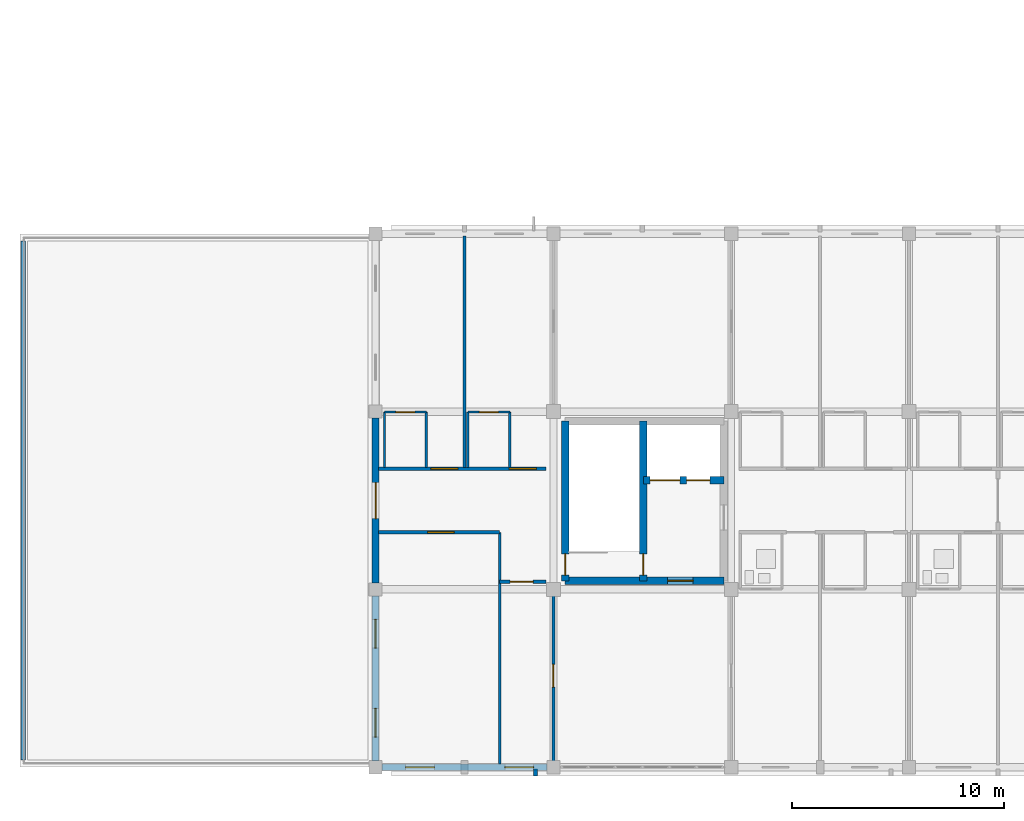
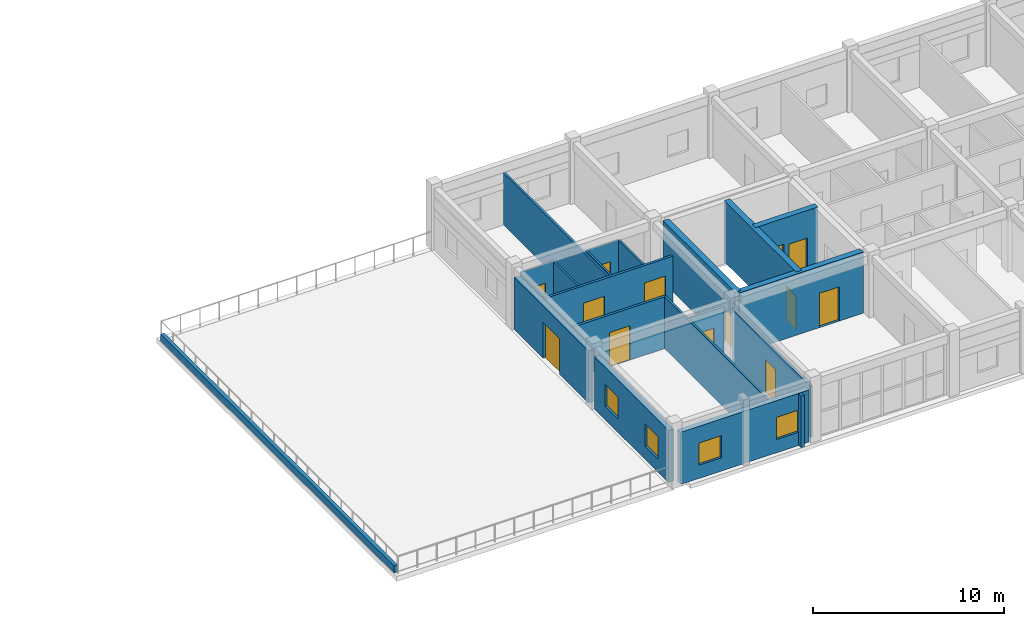
# One storey, part 57 of 81: 21 walls, 13 doors, 4 windows, 17 openings.
"""IFC4 building model written with IfcOpenShell, lengths in metres."""

from ifc_helpers import new_model, si_unit, direction, frame, frame_2d, origin, place, context, subcontext, project, spatial, rectangle, extrude, material, layer, layer_set, type_object, element, fill, save


model = new_model("IFC4")

# Units and contexts
model_context = context("Model", 3, precision=1e-05, world=origin(), true_north=direction((0.0, 1.0)))
body_context = subcontext(model_context, "Body", "Model", "MODEL_VIEW")
ifc_project = project(units=[si_unit("LENGTHUNIT", "METRE"), si_unit("AREAUNIT", "SQUARE_METRE"), si_unit("VOLUMEUNIT", "CUBIC_METRE"), si_unit("PLANEANGLEUNIT", "RADIAN"), si_unit("MASSUNIT", "GRAM", prefix="KILO")], contexts=[model_context])

# Site, building, storey
site_placement = place(None, origin())
site = spatial("IfcSite", under=ifc_project, at=site_placement, CompositionType="ELEMENT")
building_placement = place(site_placement, origin())
building = spatial("IfcBuilding", under=site, at=building_placement, Name="Trelvath General Hospital", CompositionType="ELEMENT")
storey_placement = place(building_placement, frame((0.0, 0.0, 24.60009765625)))
storey = spatial("IfcBuildingStorey", under=building, at=storey_placement, Name="L06", CompositionType="ELEMENT", Elevation=24.60009765625)

# Wall
ifc_material_1 = material(Name="Precast concrete C40/50", Category="concrete")
ifc_layer_1 = layer(ifc_material_1, 0.199951171875)
ifc_layer_set_1 = layer_set([ifc_layer_1], Name="Precast concrete C40/50")
wall_type_1 = type_object("IfcWallType", Name="BriseSoleilRib 200", PredefinedType="ELEMENTEDWALL", material=ifc_layer_set_1)
wall_1_placement = place(storey_placement, frame((41.149658203125, -0.074951171875, 0.0), z_axis=(0.0, 0.0, 1.0), x_axis=(0.0, -1.0, 0.0)))
element("IfcWall", 1, at=wall_1_placement, inside=storey, type_object=wall_type_1, Name="Precast Concrete Brise-Soleil Rib Fin L06-410", PredefinedType="ELEMENTEDWALL", context=body_context, shape_type="SweptSolid", body=[
    extrude(rectangle(XDim=0.340087890625, YDim=0.199951171875, at=frame_2d((0.169921875, 0.0))), origin(), (0.0, 0.0, 1.0), 3.31982421875),
])

# Wall, opening, door
ifc_material_2 = material(Name="Gypsum acoustic steel-stud partition", Category="steel")
ifc_layer_2 = layer(ifc_material_2, 0.14990234375)
ifc_layer_set_2 = layer_set([ifc_layer_2], Name="Gypsum acoustic steel-stud partition")
wall_type_2 = type_object("IfcWallType", Name="ClinicalPartition 150", PredefinedType="PARTITIONING", material=ifc_layer_set_2)
wall_2_placement = place(storey_placement, frame((33.739990234375, 11.10009765625, 0.0), z_axis=(0.0, 0.0, 1.0), x_axis=(1.0, 0.0, 0.0)))
wall_2 = element("IfcWall", 2, at=wall_2_placement, inside=storey, type_object=wall_type_2, Name="Nurse Station Partition L06-2031", PredefinedType="PARTITIONING", context=body_context, shape_type="SweptSolid", body=[
    extrude(rectangle(XDim=5.719970703125, YDim=0.14990234375, at=frame_2d((2.85986328125, 0.0))), origin(), (0.0, 0.0, 1.0), 3.31982421875),
])
opening_1_placement = place(wall_2_placement, frame((2.320068359375, 0.0, 0.0)))
opening_1 = element("IfcOpeningElement", 3, at=opening_1_placement, cuts=wall_2, Name="Opening D-6-1307", PredefinedType="OPENING", context=body_context, shape_type="SweptSolid", body=[
    extrude(rectangle(XDim=1.25, YDim=2.199951171875, at=frame_2d((0.625, 1.10009765625))), frame((0.0, 0.0849609375, 0.0), z_axis=(0.0, -1.0, 0.0), x_axis=(1.0, 0.0, 0.0)), (0.0, 0.0, 1.0), 0.169921875),
])
ifc_material_3 = material(Name="Acoustic hospital timber leaf", Category="wood")
door_type_1 = type_object("IfcDoorType", Name="Door Treatment 1250x2200", OperationType="NOTDEFINED", PredefinedType="DOOR", material=ifc_material_3)
door_1_placement = place(opening_1_placement, origin())
door_1 = element("IfcDoor", 4, at=door_1_placement, inside=storey, type_object=door_type_1, Name="Nurse Station Door L06-1307", OperationType="SINGLE_SWING_LEFT", OverallHeight=2.199951171875, OverallWidth=1.25, PredefinedType="DOOR", context=body_context, shape_type="SweptSolid", body=[
    extrude(rectangle(XDim=1.25, YDim=2.199951171875, at=frame_2d((0.625, 1.10009765625))), frame((0.0, 0.02490234375, 0.0), z_axis=(0.0, -1.0, 0.0), x_axis=(1.0, 0.0, 0.0)), (0.0, 0.0, 1.0), 0.050048828125),
])
fill(opening_1, door_1)

wall_3_placement = place(storey_placement, frame((39.4599609375, 8.760009765625, 0.0), z_axis=(0.0, 0.0, 1.0), x_axis=(1.0, 0.0, 0.0)))
wall_3 = element("IfcWall", 5, at=wall_3_placement, inside=storey, type_object=wall_type_2, Name="Clean Utility Partition L06-2033", PredefinedType="PARTITIONING", context=body_context, shape_type="SweptSolid", body=[
    extrude(rectangle(XDim=2.179931640625, YDim=0.14990234375, at=frame_2d((1.08984375, 0.0))), origin(), (0.0, 0.0, 1.0), 3.31982421875),
])
opening_2_placement = place(wall_3_placement, frame((0.5, 0.0, 0.0)))
opening_2 = element("IfcOpeningElement", 6, at=opening_2_placement, cuts=wall_3, Name="Opening D-6-1308", PredefinedType="OPENING", context=body_context, shape_type="SweptSolid", body=[
    extrude(rectangle(XDim=1.080078125, YDim=2.14990234375, at=frame_2d((0.5400390625, 1.074951171875))), frame((0.0, 0.0849609375, 0.0), z_axis=(0.0, -1.0, 0.0), x_axis=(1.0, 0.0, 0.0)), (0.0, 0.0, 1.0), 0.169921875),
])
ifc_material_4 = material(Name="Acoustic hospital timber leaf", Category="wood")
door_type_2 = type_object("IfcDoorType", Name="Door CleanSupply 1080x2150", OperationType="NOTDEFINED", PredefinedType="DOOR", material=ifc_material_4)
door_2_placement = place(opening_2_placement, origin())
door_2 = element("IfcDoor", 7, at=door_2_placement, inside=storey, type_object=door_type_2, Name="Clean Utility Door L06-1308", OperationType="SINGLE_SWING_RIGHT", OverallHeight=2.14990234375, OverallWidth=1.080078125, PredefinedType="DOOR", context=body_context, shape_type="SweptSolid", body=[
    extrude(rectangle(XDim=1.080078125, YDim=2.14990234375, at=frame_2d((0.5400390625, 1.074951171875))), frame((0.0, 0.02490234375, 0.0), z_axis=(0.0, -1.0, 0.0), x_axis=(1.0, 0.0, 0.0)), (0.0, 0.0, 1.0), 0.050048828125),
])
fill(opening_2, door_2)

# Wall, openings, doors
wall_4_placement = place(storey_placement, frame((41.639892578125, 14.10009765625, 0.0), z_axis=(0.0, 0.0, 1.0), x_axis=(-1.0, 0.0, 0.0)))
wall_4 = element("IfcWall", 8, at=wall_4_placement, inside=storey, type_object=wall_type_2, Name="Corridor Partition N L06-2034", PredefinedType="PARTITIONING", context=body_context, shape_type="SweptSolid", body=[
    extrude(rectangle(XDim=7.89990234375, YDim=0.14990234375, at=frame_2d((3.949951171875, 0.0))), origin(), (0.0, 0.0, 1.0), 3.31982421875),
])
opening_3_placement = place(wall_4_placement, frame((0.449951171875, 0.0, 0.0)))
opening_3 = element("IfcOpeningElement", 9, at=opening_3_placement, cuts=wall_4, Name="Opening D-6-1309", PredefinedType="OPENING", context=body_context, shape_type="SweptSolid", body=[
    extrude(rectangle(XDim=1.280029296875, YDim=2.199951171875, at=frame_2d((0.64013671875, 1.10009765625))), frame((0.0, 0.0849609375, 0.0), z_axis=(0.0, -1.0, 0.0), x_axis=(1.0, 0.0, 0.0)), (0.0, 0.0, 1.0), 0.169921875),
])
opening_4_placement = place(wall_4_placement, frame((4.14990234375, 0.0, 0.0)))
opening_4 = element("IfcOpeningElement", 10, at=opening_4_placement, cuts=wall_4, Name="Opening D-6-1310", PredefinedType="OPENING", context=body_context, shape_type="SweptSolid", body=[
    extrude(rectangle(XDim=1.280029296875, YDim=2.199951171875, at=frame_2d((0.64013671875, 1.10009765625))), frame((0.0, 0.0849609375, 0.0), z_axis=(0.0, -1.0, 0.0), x_axis=(1.0, 0.0, 0.0)), (0.0, 0.0, 1.0), 0.169921875),
])
ifc_material_5 = material(Name="Pediatric ward timber door", Category="wood")
door_type_3 = type_object("IfcDoorType", Name="Door PatientPeds 1280x2200", OperationType="NOTDEFINED", PredefinedType="DOOR", material=ifc_material_5)
door_3_placement = place(opening_3_placement, origin())
door_3 = element("IfcDoor", 11, at=door_3_placement, inside=storey, type_object=door_type_3, Name="Patient Room Door N L06-1309", OperationType="SINGLE_SWING_LEFT", OverallHeight=2.199951171875, OverallWidth=1.280029296875, PredefinedType="DOOR", context=body_context, shape_type="SweptSolid", body=[
    extrude(rectangle(XDim=1.280029296875, YDim=2.199951171875, at=frame_2d((0.64013671875, 1.10009765625))), frame((0.0, 0.02490234375, 0.0), z_axis=(0.0, -1.0, 0.0), x_axis=(1.0, 0.0, 0.0)), (0.0, 0.0, 1.0), 0.050048828125),
])
fill(opening_3, door_3)
door_4_placement = place(opening_4_placement, origin())
door_4 = element("IfcDoor", 12, at=door_4_placement, inside=storey, type_object=door_type_3, Name="Patient Room Door N L06-1310", OperationType="SINGLE_SWING_LEFT", OverallHeight=2.199951171875, OverallWidth=1.280029296875, PredefinedType="DOOR", context=body_context, shape_type="SweptSolid", body=[
    extrude(rectangle(XDim=1.280029296875, YDim=2.199951171875, at=frame_2d((0.64013671875, 1.10009765625))), frame((0.0, 0.02490234375, 0.0), z_axis=(0.0, -1.0, 0.0), x_axis=(1.0, 0.0, 0.0)), (0.0, 0.0, 1.0), 0.050048828125),
])
fill(opening_4, door_4)

# Wall, opening, door
ifc_material_6 = material(Name="Concrete C40/50", Category="concrete")
ifc_layer_3 = layer(ifc_material_6, 0.35009765625)
ifc_layer_set_3 = layer_set([ifc_layer_3], Name="Concrete C40/50")
wall_type_3 = type_object("IfcWallType", Name="CoreShearWall 350", PredefinedType="SHEAR", material=ifc_layer_set_3)
wall_5_placement = place(storey_placement, frame((42.550048828125, 8.800048828125, 0.0), z_axis=(0.0, 0.0, 1.0), x_axis=(1.0, 0.0, 0.0)))
wall_5 = element("IfcWall", 13, at=wall_5_placement, inside=storey, type_object=wall_type_3, Name="Core Shear Wall C4 S L06", PredefinedType="SHEAR", context=body_context, shape_type="SweptSolid", body=[
    extrude(rectangle(XDim=7.5, YDim=0.35009765625, at=frame_2d((3.75, 0.0))), origin(), (0.0, 0.0, 1.0), 3.919921875),
])
opening_5_placement = place(wall_5_placement, frame((4.85009765625, 0.0, 0.0)))
opening_5 = element("IfcOpeningElement", 14, at=opening_5_placement, cuts=wall_5, Name="Opening FD-LS46", PredefinedType="OPENING", context=body_context, shape_type="SweptSolid", body=[
    extrude(rectangle(XDim=1.199951171875, YDim=2.199951171875, at=frame_2d((0.60009765625, 1.10009765625))), frame((0.0, 0.18505859375, 0.0), z_axis=(0.0, -1.0, 0.0), x_axis=(1.0, 0.0, 0.0)), (0.0, 0.0, 1.0), 0.3701171875),
])
ifc_material_7 = material(Name="Fire-rated steel door", Category="steel")
door_type_4 = type_object("IfcDoorType", Name="Door FireLobby 1200x2200", OperationType="NOTDEFINED", PredefinedType="DOOR", material=ifc_material_7)
door_5_placement = place(opening_5_placement, origin())
door_5 = element("IfcDoor", 15, at=door_5_placement, inside=storey, type_object=door_type_4, Name="Fire Lobby South Door C4 L06", OperationType="SINGLE_SWING_LEFT", OverallHeight=2.199951171875, OverallWidth=1.199951171875, PredefinedType="DOOR", context=body_context, shape_type="SweptSolid", body=[
    extrude(rectangle(XDim=1.199951171875, YDim=2.199951171875, at=frame_2d((0.60009765625, 1.10009765625))), frame((0.0, 0.02490234375, 0.0), z_axis=(0.0, -1.0, 0.0), x_axis=(1.0, 0.0, 0.0)), (0.0, 0.0, 1.0), 0.050048828125),
])
fill(opening_5, door_5)

wall_6_placement = place(storey_placement, frame((42.550048828125, 8.800048828125, 0.0), z_axis=(0.0, 0.0, 1.0), x_axis=(0.0, 1.0, 0.0)))
wall_6 = element("IfcWall", 16, at=wall_6_placement, inside=storey, type_object=wall_type_3, Name="Core Shear Wall C4 W L06", PredefinedType="SHEAR", context=body_context, shape_type="SweptSolid", body=[
    extrude(rectangle(XDim=7.550048828125, YDim=0.35009765625, at=frame_2d((3.77490234375, 0.0))), origin(), (0.0, 0.0, 1.0), 3.919921875),
])
opening_6_placement = place(wall_6_placement, frame((0.280029296875, 0.0, 0.0)))
opening_6 = element("IfcOpeningElement", 17, at=opening_6_placement, cuts=wall_6, Name="Opening FD-SW46", PredefinedType="OPENING", context=body_context, shape_type="SweptSolid", body=[
    extrude(rectangle(XDim=1.0, YDim=2.14990234375, at=frame_2d((0.5, 1.074951171875))), frame((0.0, 0.18505859375, 0.0), z_axis=(0.0, -1.0, 0.0), x_axis=(1.0, 0.0, 0.0)), (0.0, 0.0, 1.0), 0.3701171875),
])
ifc_material_8 = material(Name="Fire-rated steel door", Category="steel")
door_type_5 = type_object("IfcDoorType", Name="Door FireStair 1100x2150", OperationType="NOTDEFINED", PredefinedType="DOOR", material=ifc_material_8)
door_6_placement = place(opening_6_placement, origin())
door_6 = element("IfcDoor", 18, at=door_6_placement, inside=storey, type_object=door_type_5, Name="West Corridor Stair Door ST4 L06", OperationType="SINGLE_SWING_RIGHT", OverallHeight=2.14990234375, OverallWidth=1.0, PredefinedType="DOOR", context=body_context, shape_type="SweptSolid", body=[
    extrude(rectangle(XDim=1.0, YDim=2.14990234375, at=frame_2d((0.5, 1.074951171875))), frame((0.0, 0.02490234375, 0.0), z_axis=(0.0, -1.0, 0.0), x_axis=(1.0, 0.0, 0.0)), (0.0, 0.0, 1.0), 0.050048828125),
])
fill(opening_6, door_6)

wall_7_placement = place(storey_placement, frame((46.25, 8.800048828125, 0.0), z_axis=(0.0, 0.0, 1.0), x_axis=(0.0, 1.0, 0.0)))
wall_7 = element("IfcWall", 19, at=wall_7_placement, inside=storey, type_object=wall_type_3, Name="Core Shear Wall C4 SPINE L06", PredefinedType="SHEAR", context=body_context, shape_type="SweptSolid", body=[
    extrude(rectangle(XDim=7.550048828125, YDim=0.35009765625, at=frame_2d((3.77490234375, 0.0))), origin(), (0.0, 0.0, 1.0), 3.919921875),
])
opening_7_placement = place(wall_7_placement, frame((0.280029296875, 0.0, 0.0)))
opening_7 = element("IfcOpeningElement", 20, at=opening_7_placement, cuts=wall_7, Name="Opening FD-S46", PredefinedType="OPENING", context=body_context, shape_type="SweptSolid", body=[
    extrude(rectangle(XDim=1.0, YDim=2.14990234375, at=frame_2d((0.5, 1.074951171875))), frame((0.0, 0.18505859375, 0.0), z_axis=(0.0, -1.0, 0.0), x_axis=(1.0, 0.0, 0.0)), (0.0, 0.0, 1.0), 0.3701171875),
])
door_7_placement = place(opening_7_placement, origin())
door_7 = element("IfcDoor", 21, at=door_7_placement, inside=storey, type_object=door_type_5, Name="Exit Stair Door ST4 L06", OperationType="SINGLE_SWING_LEFT", OverallHeight=2.14990234375, OverallWidth=1.0, PredefinedType="DOOR", context=body_context, shape_type="SweptSolid", body=[
    extrude(rectangle(XDim=1.0, YDim=2.14990234375, at=frame_2d((0.5, 1.074951171875))), frame((0.0, 0.02490234375, 0.0), z_axis=(0.0, -1.0, 0.0), x_axis=(1.0, 0.0, 0.0)), (0.0, 0.0, 1.0), 0.050048828125),
])
fill(opening_7, door_7)

# Wall, openings, doors
wall_8_placement = place(storey_placement, frame((46.25, 13.550048828125, 0.0), z_axis=(0.0, 0.0, 1.0), x_axis=(1.0, 0.0, 0.0)))
wall_8 = element("IfcWall", 22, at=wall_8_placement, inside=storey, type_object=wall_type_3, Name="Core Shear Wall C4 SHAFT L06", PredefinedType="SHEAR", context=body_context, shape_type="SweptSolid", body=[
    extrude(rectangle(XDim=3.800048828125, YDim=0.35009765625, at=frame_2d((1.89990234375, 0.0))), origin(), (0.0, 0.0, 1.0), 3.919921875),
])
opening_8_placement = place(wall_8_placement, frame((0.320068359375, 0.0, 0.0)))
opening_8 = element("IfcOpeningElement", 23, at=opening_8_placement, cuts=wall_8, Name="Opening LD-BD3-6", PredefinedType="OPENING", context=body_context, shape_type="SweptSolid", body=[
    extrude(rectangle(XDim=1.39990234375, YDim=2.25, at=frame_2d((0.699951171875, 1.125))), frame((0.0, 0.18505859375, 0.0), z_axis=(0.0, -1.0, 0.0), x_axis=(1.0, 0.0, 0.0)), (0.0, 0.0, 1.0), 0.3701171875),
])
opening_9_placement = place(wall_8_placement, frame((2.0400390625, 0.0, 0.0)))
opening_9 = element("IfcOpeningElement", 24, at=opening_9_placement, cuts=wall_8, Name="Opening LD-PA1-6", PredefinedType="OPENING", context=body_context, shape_type="SweptSolid", body=[
    extrude(rectangle(XDim=1.10009765625, YDim=2.14990234375, at=frame_2d((0.550048828125, 1.074951171875))), frame((0.0, 0.18505859375, 0.0), z_axis=(0.0, -1.0, 0.0), x_axis=(1.0, 0.0, 0.0)), (0.0, 0.0, 1.0), 0.3701171875),
])
ifc_material_9 = material(Name="Stainless steel stretcher lift landing door", Category="steel")
door_type_6 = type_object("IfcDoorType", Name="Door LiftBed 1400x2250", OperationType="SLIDING_TO_LEFT", PredefinedType="DOOR", material=ifc_material_9)
door_8_placement = place(opening_8_placement, origin())
door_8 = element("IfcDoor", 25, at=door_8_placement, inside=storey, type_object=door_type_6, Name="Lift Landing Sliding Door LF-BD3 L06", OperationType="SLIDING_TO_LEFT", OverallHeight=2.25, OverallWidth=1.39990234375, PredefinedType="DOOR", context=body_context, shape_type="SweptSolid", body=[
    extrude(rectangle(XDim=1.39990234375, YDim=2.25, at=frame_2d((0.699951171875, 1.125))), frame((0.0, 0.02490234375, 0.0), z_axis=(0.0, -1.0, 0.0), x_axis=(1.0, 0.0, 0.0)), (0.0, 0.0, 1.0), 0.050048828125),
])
fill(opening_8, door_8)
ifc_material_10 = material(Name="Stainless steel lift landing sliding door", Category="steel")
door_type_7 = type_object("IfcDoorType", Name="Door LiftLanding 1100x2150", OperationType="SLIDING_TO_LEFT", PredefinedType="DOOR", material=ifc_material_10)
door_9_placement = place(opening_9_placement, origin())
door_9 = element("IfcDoor", 26, at=door_9_placement, inside=storey, type_object=door_type_7, Name="Lift Landing Sliding Door LF-PA1 L06", OperationType="SLIDING_TO_LEFT", OverallHeight=2.14990234375, OverallWidth=1.10009765625, PredefinedType="DOOR", context=body_context, shape_type="SweptSolid", body=[
    extrude(rectangle(XDim=1.10009765625, YDim=2.14990234375, at=frame_2d((0.550048828125, 1.074951171875))), frame((0.0, 0.02490234375, 0.0), z_axis=(0.0, -1.0, 0.0), x_axis=(1.0, 0.0, 0.0)), (0.0, 0.0, 1.0), 0.050048828125),
])
fill(opening_9, door_9)

# Walls
ifc_material_11 = material(Name="Moisture-resistant tile partition")
ifc_layer_4 = layer(ifc_material_11, 0.110107421875)
ifc_layer_set_4 = layer_set([ifc_layer_4], Name="Moisture-resistant tile partition")
wall_type_4 = type_object("IfcWallType", Name="EnSuiteWetWall 110", PredefinedType="PARTITIONING", material=ifc_layer_set_4)
for number, where, z_axis, x_axis, name in (
    (27, (34.02001953125, 14.169921875, 0.0), (0.0, 0.0, 1.0), (0.0, 1.0, 0.0), "En-Suite W Wall N L06-2036"),
    (28, (36.0, 14.169921875, 0.0), (0.0, 0.0, 1.0), (0.0, 1.0, 0.0), "En-Suite E Wall N L06-2037"),
):
    element("IfcWall", number, at=place(storey_placement, frame(where, z_axis=z_axis, x_axis=x_axis)), inside=storey, type_object=wall_type_4, Name=name, PredefinedType="PARTITIONING", context=body_context, shape_type="SweptSolid", body=[
        extrude(rectangle(XDim=2.610107421875, YDim=0.110107421875, at=frame_2d((1.30517578125, 0.0))), origin(), (0.0, 0.0, 1.0), 3.31982421875),
    ])

# Wall, opening, door
wall_9_placement = place(storey_placement, frame((34.02001953125, 16.780029296875, 0.0), z_axis=(0.0, 0.0, 1.0), x_axis=(1.0, 0.0, 0.0)))
wall_9 = element("IfcWall", 29, at=wall_9_placement, inside=storey, type_object=wall_type_4, Name="En-Suite Bathroom N Partition L06-2038", PredefinedType="PARTITIONING", context=body_context, shape_type="SweptSolid", body=[
    extrude(rectangle(XDim=1.97998046875, YDim=0.110107421875, at=frame_2d((0.989990234375, 0.0))), origin(), (0.0, 0.0, 1.0), 3.31982421875),
])
opening_10_placement = place(wall_9_placement, frame((0.5400390625, 0.0, 0.0)))
opening_10 = element("IfcOpeningElement", 30, at=opening_10_placement, cuts=wall_9, Name="Opening D-6-1311", PredefinedType="OPENING", context=body_context, shape_type="SweptSolid", body=[
    extrude(rectangle(XDim=0.89990234375, YDim=2.10009765625, at=frame_2d((0.449951171875, 1.050048828125))), frame((0.0, 0.06494140625, 0.0), z_axis=(0.0, -1.0, 0.0), x_axis=(1.0, 0.0, 0.0)), (0.0, 0.0, 1.0), 0.130126953125),
])
ifc_material_12 = material(Name="Moisture-sealed timber leaf", Category="wood")
door_type_8 = type_object("IfcDoorType", Name="Door EnSuite 900x2100", OperationType="NOTDEFINED", PredefinedType="DOOR", material=ifc_material_12)
door_10_placement = place(opening_10_placement, origin())
door_10 = element("IfcDoor", 31, at=door_10_placement, inside=storey, type_object=door_type_8, Name="En-Suite Bathroom N Door L06-1311", OperationType="SINGLE_SWING_RIGHT", OverallHeight=2.10009765625, OverallWidth=0.89990234375, PredefinedType="DOOR", context=body_context, shape_type="SweptSolid", body=[
    extrude(rectangle(XDim=0.89990234375, YDim=2.10009765625, at=frame_2d((0.449951171875, 1.050048828125))), frame((0.0, 0.02490234375, 0.0), z_axis=(0.0, -1.0, 0.0), x_axis=(1.0, 0.0, 0.0)), (0.0, 0.0, 1.0), 0.050048828125),
])
fill(opening_10, door_10)

# Walls
for number, where, z_axis, x_axis, name in (
    (32, (37.9599609375, 14.169921875, 0.0), (0.0, 0.0, 1.0), (0.0, 1.0, 0.0), "En-Suite W Wall N L06-2039"),
    (33, (39.93994140625, 14.169921875, 0.0), (0.0, 0.0, 1.0), (0.0, 1.0, 0.0), "En-Suite E Wall N L06-2040"),
):
    element("IfcWall", number, at=place(storey_placement, frame(where, z_axis=z_axis, x_axis=x_axis)), inside=storey, type_object=wall_type_4, Name=name, PredefinedType="PARTITIONING", context=body_context, shape_type="SweptSolid", body=[
        extrude(rectangle(XDim=2.610107421875, YDim=0.110107421875, at=frame_2d((1.30517578125, 0.0))), origin(), (0.0, 0.0, 1.0), 3.31982421875),
    ])

# Wall, opening, door
wall_10_placement = place(storey_placement, frame((37.9599609375, 16.780029296875, 0.0), z_axis=(0.0, 0.0, 1.0), x_axis=(1.0, 0.0, 0.0)))
wall_10 = element("IfcWall", 34, at=wall_10_placement, inside=storey, type_object=wall_type_4, Name="En-Suite Bathroom N Partition L06-2041", PredefinedType="PARTITIONING", context=body_context, shape_type="SweptSolid", body=[
    extrude(rectangle(XDim=1.97998046875, YDim=0.110107421875, at=frame_2d((0.989990234375, 0.0))), origin(), (0.0, 0.0, 1.0), 3.31982421875),
])
opening_11_placement = place(wall_10_placement, frame((0.5400390625, 0.0, 0.0)))
opening_11 = element("IfcOpeningElement", 35, at=opening_11_placement, cuts=wall_10, Name="Opening D-6-1312", PredefinedType="OPENING", context=body_context, shape_type="SweptSolid", body=[
    extrude(rectangle(XDim=0.89990234375, YDim=2.10009765625, at=frame_2d((0.449951171875, 1.050048828125))), frame((0.0, 0.06494140625, 0.0), z_axis=(0.0, -1.0, 0.0), x_axis=(1.0, 0.0, 0.0)), (0.0, 0.0, 1.0), 0.130126953125),
])
door_11_placement = place(opening_11_placement, origin())
door_11 = element("IfcDoor", 36, at=door_11_placement, inside=storey, type_object=door_type_8, Name="En-Suite Bathroom N Door L06-1312", OperationType="SINGLE_SWING_LEFT", OverallHeight=2.10009765625, OverallWidth=0.89990234375, PredefinedType="DOOR", context=body_context, shape_type="SweptSolid", body=[
    extrude(rectangle(XDim=0.89990234375, YDim=2.10009765625, at=frame_2d((0.449951171875, 1.050048828125))), frame((0.0, 0.02490234375, 0.0), z_axis=(0.0, -1.0, 0.0), x_axis=(1.0, 0.0, 0.0)), (0.0, 0.0, 1.0), 0.050048828125),
])
fill(opening_11, door_11)

# Wall, openings, windows
ifc_material_13 = material(Name="Concrete C35/45", Category="concrete")
ifc_layer_5 = layer(ifc_material_13, 0.320068359375)
ifc_layer_set_5 = layer_set([ifc_layer_5], Name="Concrete C35/45")
wall_type_5 = type_object("IfcWallType", Name="ExtThermalWall 320", PredefinedType="SOLIDWALL", material=ifc_layer_set_5)
wall_11_placement = place(storey_placement, frame((41.695068359375, 0.0, 0.0), z_axis=(0.0, 0.0, 1.0), x_axis=(-1.0, 0.0, 0.0)))
wall_11 = element("IfcWall", 37, at=wall_11_placement, inside=storey, type_object=wall_type_5, Name="Exterior Concrete Wall L06-550", PredefinedType="SOLIDWALL", context=body_context, shape_type="SweptSolid", body=[
    extrude(rectangle(XDim=7.7900390625, YDim=0.320068359375, at=frame_2d((3.89501953125, 0.0))), origin(), (0.0, 0.0, 1.0), 3.33984375),
])
opening_12_placement = place(wall_11_placement, frame((0.6298828125, 0.0, 0.85009765625)))
opening_12 = element("IfcOpeningElement", 38, at=opening_12_placement, cuts=wall_11, Name="Opening WN-6-917", PredefinedType="OPENING", context=body_context, shape_type="SweptSolid", body=[
    extrude(rectangle(XDim=1.360107421875, YDim=1.419921875, at=frame_2d((0.68017578125, 0.7099609375))), frame((0.0, 0.169921875, 0.0), z_axis=(0.0, -1.0, 0.0), x_axis=(1.0, 0.0, 0.0)), (0.0, 0.0, 1.0), 0.340087890625),
])
opening_13_placement = place(wall_11_placement, frame((5.318359375, 0.0, 0.85009765625)))
opening_13 = element("IfcOpeningElement", 39, at=opening_13_placement, cuts=wall_11, Name="Opening WN-6-918", PredefinedType="OPENING", context=body_context, shape_type="SweptSolid", body=[
    extrude(rectangle(XDim=1.360107421875, YDim=1.419921875, at=frame_2d((0.68017578125, 0.7099609375))), frame((0.0, 0.169921875, 0.0), z_axis=(0.0, -1.0, 0.0), x_axis=(1.0, 0.0, 0.0)), (0.0, 0.0, 1.0), 0.340087890625),
])
ifc_material_14 = material(Name="Low-E laminated glass", Category="glass")
window_type = type_object("IfcWindowType", Name="Window Pathology 1360x1420", PartitioningType="DOUBLE_PANEL_VERTICAL", PredefinedType="WINDOW", material=ifc_material_14)
window_1_placement = place(opening_12_placement, origin())
window_1 = element("IfcWindow", 40, at=window_1_placement, inside=storey, type_object=window_type, Name="Solar Reveal Window L06-917", OverallHeight=1.419921875, OverallWidth=1.360107421875, PartitioningType="SINGLE_PANEL", PredefinedType="WINDOW", context=body_context, shape_type="SweptSolid", body=[
    extrude(rectangle(XDim=1.360107421875, YDim=1.419921875, at=frame_2d((0.68017578125, 0.7099609375))), frame((0.0, 0.030029296875, 0.0), z_axis=(0.0, -1.0, 0.0), x_axis=(1.0, 0.0, 0.0)), (0.0, 0.0, 1.0), 0.06005859375),
])
fill(opening_12, window_1)
window_2_placement = place(opening_13_placement, origin())
window_2 = element("IfcWindow", 41, at=window_2_placement, inside=storey, type_object=window_type, Name="Solar Reveal Window L06-918", OverallHeight=1.419921875, OverallWidth=1.360107421875, PartitioningType="SINGLE_PANEL", PredefinedType="WINDOW", context=body_context, shape_type="SweptSolid", body=[
    extrude(rectangle(XDim=1.360107421875, YDim=1.419921875, at=frame_2d((0.68017578125, 0.7099609375))), frame((0.0, 0.030029296875, 0.0), z_axis=(0.0, -1.0, 0.0), x_axis=(1.0, 0.0, 0.0)), (0.0, 0.0, 1.0), 0.06005859375),
])
fill(opening_13, window_2)

wall_12_placement = place(storey_placement, frame((33.60009765625, 0.304931640625, 0.0), z_axis=(0.0, 0.0, 1.0), x_axis=(0.0, 1.0, 0.0)))
wall_12 = element("IfcWall", 42, at=wall_12_placement, inside=storey, type_object=wall_type_5, Name="Exterior Concrete Wall L06-551", PredefinedType="SOLIDWALL", context=body_context, shape_type="SweptSolid", body=[
    extrude(rectangle(XDim=7.7900390625, YDim=0.320068359375, at=frame_2d((3.89501953125, 0.0))), origin(), (0.0, 0.0, 1.0), 3.33984375),
])
opening_14_placement = place(wall_12_placement, frame((1.11181640625, 0.0, 0.85009765625)))
opening_14 = element("IfcOpeningElement", 43, at=opening_14_placement, cuts=wall_12, Name="Opening WN-6-919", PredefinedType="OPENING", context=body_context, shape_type="SweptSolid", body=[
    extrude(rectangle(XDim=1.360107421875, YDim=1.419921875, at=frame_2d((0.68017578125, 0.7099609375))), frame((0.0, 0.169921875, 0.0), z_axis=(0.0, -1.0, 0.0), x_axis=(1.0, 0.0, 0.0)), (0.0, 0.0, 1.0), 0.340087890625),
])
opening_15_placement = place(wall_12_placement, frame((5.318359375, 0.0, 0.85009765625)))
opening_15 = element("IfcOpeningElement", 44, at=opening_15_placement, cuts=wall_12, Name="Opening WN-6-920", PredefinedType="OPENING", context=body_context, shape_type="SweptSolid", body=[
    extrude(rectangle(XDim=1.360107421875, YDim=1.419921875, at=frame_2d((0.68017578125, 0.7099609375))), frame((0.0, 0.169921875, 0.0), z_axis=(0.0, -1.0, 0.0), x_axis=(1.0, 0.0, 0.0)), (0.0, 0.0, 1.0), 0.340087890625),
])
window_3_placement = place(opening_14_placement, origin())
window_3 = element("IfcWindow", 45, at=window_3_placement, inside=storey, type_object=window_type, Name="Solar Reveal Window L06-919", OverallHeight=1.419921875, OverallWidth=1.360107421875, PartitioningType="SINGLE_PANEL", PredefinedType="WINDOW", context=body_context, shape_type="SweptSolid", body=[
    extrude(rectangle(XDim=1.360107421875, YDim=1.419921875, at=frame_2d((0.68017578125, 0.7099609375))), frame((0.0, 0.030029296875, 0.0), z_axis=(0.0, -1.0, 0.0), x_axis=(1.0, 0.0, 0.0)), (0.0, 0.0, 1.0), 0.06005859375),
])
fill(opening_14, window_3)
window_4_placement = place(opening_15_placement, origin())
window_4 = element("IfcWindow", 46, at=window_4_placement, inside=storey, type_object=window_type, Name="Solar Reveal Window L06-920", OverallHeight=1.419921875, OverallWidth=1.360107421875, PartitioningType="SINGLE_PANEL", PredefinedType="WINDOW", context=body_context, shape_type="SweptSolid", body=[
    extrude(rectangle(XDim=1.360107421875, YDim=1.419921875, at=frame_2d((0.68017578125, 0.7099609375))), frame((0.0, 0.030029296875, 0.0), z_axis=(0.0, -1.0, 0.0), x_axis=(1.0, 0.0, 0.0)), (0.0, 0.0, 1.0), 0.06005859375),
])
fill(opening_15, window_4)

# Wall, opening, door
wall_13_placement = place(storey_placement, frame((33.60009765625, 8.705078125, 0.0), z_axis=(0.0, 0.0, 1.0), x_axis=(0.0, 1.0, 0.0)))
wall_13 = element("IfcWall", 47, at=wall_13_placement, inside=storey, type_object=wall_type_5, Name="Exterior Concrete Wall L06-552", PredefinedType="SOLIDWALL", context=body_context, shape_type="SweptSolid", body=[
    extrude(rectangle(XDim=7.7900390625, YDim=0.320068359375, at=frame_2d((3.89501953125, 0.0))), origin(), (0.0, 0.0, 1.0), 3.33984375),
])
opening_16_placement = place(wall_13_placement, frame((3.044921875, 0.0, 0.0)))
opening_16 = element("IfcOpeningElement", 48, at=opening_16_placement, cuts=wall_13, Name="Opening TD-6-66", PredefinedType="OPENING", context=body_context, shape_type="SweptSolid", body=[
    extrude(rectangle(XDim=1.699951171875, YDim=2.300048828125, at=frame_2d((0.85009765625, 1.14990234375))), frame((0.0, 0.169921875, 0.0), z_axis=(0.0, -1.0, 0.0), x_axis=(1.0, 0.0, 0.0)), (0.0, 0.0, 1.0), 0.340087890625),
])
ifc_material_15 = material(Name="Thermally broken glazed aluminium pair", Category="aluminium")
door_type_9 = type_object("IfcDoorType", Name="Door TerracePair 1700x2300", OperationType="DOUBLE_SWING_LEFT", PredefinedType="DOOR", material=ifc_material_15)
door_12_placement = place(opening_16_placement, origin())
door_12 = element("IfcDoor", 49, at=door_12_placement, inside=storey, type_object=door_type_9, Name="Planted Terrace Access Door TERR-SW-W6 L06", OperationType="DOUBLE_SWING_LEFT", OverallHeight=2.300048828125, OverallWidth=1.699951171875, PredefinedType="DOOR", context=body_context, shape_type="SweptSolid", body=[
    extrude(rectangle(XDim=1.699951171875, YDim=2.300048828125, at=frame_2d((0.85009765625, 1.14990234375))), frame((0.0, 0.02490234375, 0.0), z_axis=(0.0, -1.0, 0.0), x_axis=(1.0, 0.0, 0.0)), (0.0, 0.0, 1.0), 0.050048828125),
])
fill(opening_16, door_12)

# Walls
ifc_material_16 = material(Name="Concrete C35/45", Category="concrete")
ifc_layer_6 = layer(ifc_material_16, 0.2099609375)
ifc_layer_set_6 = layer_set([ifc_layer_6], Name="Concrete C35/45")
wall_type_6 = type_object("IfcWallType", Name="TerraceParapet 210", PredefinedType="PARAPET", material=ifc_layer_set_6)
wall_14_placement = place(storey_placement, frame((16.949951171875, 0.35009765625, 0.0), z_axis=(0.0, 0.0, 1.0), x_axis=(0.0, 1.0, 0.0)))
element("IfcWall", 50, at=wall_14_placement, inside=storey, type_object=wall_type_6, Name="Terrace Planter Upstand TERR-SW-W6", PredefinedType="PARAPET", context=body_context, shape_type="SweptSolid", body=[
    extrude(rectangle(XDim=24.5, YDim=0.2099609375, at=frame_2d((12.25, 0.0))), origin(), (0.0, 0.0, 1.0), 0.449951171875),
])
ifc_material_17 = material(Name="Gypsum acoustic steel-stud partition", Category="steel")
ifc_layer_7 = layer(ifc_material_17, 0.1298828125)
ifc_layer_set_7 = layer_set([ifc_layer_7], Name="Gypsum acoustic steel-stud partition")
wall_type_7 = type_object("IfcWallType", Name="WardPartition 130", PredefinedType="PARTITIONING", material=ifc_layer_set_7)
wall_15_placement = place(storey_placement, frame((39.4599609375, 0.159912109375, 0.0), z_axis=(0.0, 0.0, 1.0), x_axis=(0.0, 1.0, 0.0)))
element("IfcWall", 51, at=wall_15_placement, inside=storey, type_object=wall_type_7, Name="Nurse Alcove Partition L06-2032", PredefinedType="PARTITIONING", context=body_context, shape_type="SweptSolid", body=[
    extrude(rectangle(XDim=10.940185546875, YDim=0.1298828125, at=frame_2d((5.47021484375, 0.0))), origin(), (0.0, 0.0, 1.0), 3.31982421875),
])
wall_16_placement = place(storey_placement, frame((37.800048828125, 14.169921875, 0.0), z_axis=(0.0, 0.0, 1.0), x_axis=(0.0, 1.0, 0.0)))
element("IfcWall", 52, at=wall_16_placement, inside=storey, type_object=wall_type_7, Name="Room Dividing Partition N L06-2035", PredefinedType="PARTITIONING", context=body_context, shape_type="SweptSolid", body=[
    extrude(rectangle(XDim=10.93017578125, YDim=0.1298828125, at=frame_2d((5.465087890625, 0.0))), origin(), (0.0, 0.0, 1.0), 3.31982421875),
])

# Wall, opening, door
wall_17_placement = place(storey_placement, frame((42.0, 0.139892578125, 0.0), z_axis=(0.0, 0.0, 1.0), x_axis=(0.0, 1.0, 0.0)))
wall_17 = element("IfcWall", 53, at=wall_17_placement, inside=storey, type_object=wall_type_7, Name="Inter-Bay Ward Partition S L06-2042", PredefinedType="PARTITIONING", context=body_context, shape_type="SweptSolid", body=[
    extrude(rectangle(XDim=8.210205078125, YDim=0.1298828125, at=frame_2d((4.10498046875, 0.0))), origin(), (0.0, 0.0, 1.0), 3.31982421875),
])
opening_17_placement = place(wall_17_placement, frame((3.639892578125, 0.0, 0.0)))
opening_17 = element("IfcOpeningElement", 54, at=opening_17_placement, cuts=wall_17, Name="Opening D-6-1313", PredefinedType="OPENING", context=body_context, shape_type="SweptSolid", body=[
    extrude(rectangle(XDim=1.080078125, YDim=2.14990234375, at=frame_2d((0.5400390625, 1.074951171875))), frame((0.0, 0.074951171875, 0.0), z_axis=(0.0, -1.0, 0.0), x_axis=(1.0, 0.0, 0.0)), (0.0, 0.0, 1.0), 0.14990234375),
])
door_13_placement = place(opening_17_placement, origin())
door_13 = element("IfcDoor", 55, at=door_13_placement, inside=storey, type_object=door_type_2, Name="Clean Supply Connecting Door L06-1313", OperationType="SINGLE_SWING_RIGHT", OverallHeight=2.14990234375, OverallWidth=1.080078125, PredefinedType="DOOR", context=body_context, shape_type="SweptSolid", body=[
    extrude(rectangle(XDim=1.080078125, YDim=2.14990234375, at=frame_2d((0.5400390625, 1.074951171875))), frame((0.0, 0.02490234375, 0.0), z_axis=(0.0, -1.0, 0.0), x_axis=(1.0, 0.0, 0.0)), (0.0, 0.0, 1.0), 0.050048828125),
])
fill(opening_17, door_13)

save(model, "model.ifc")
